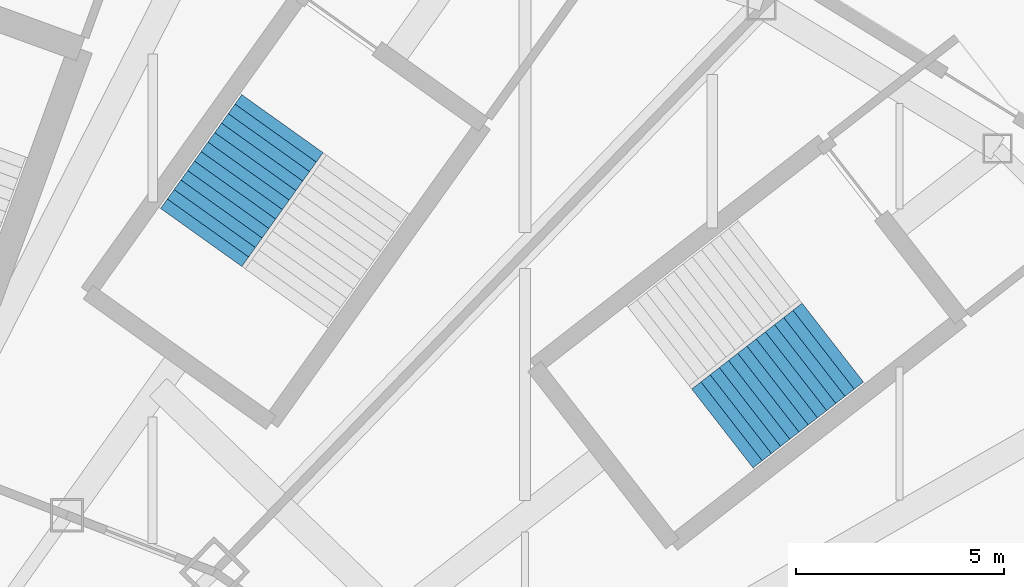
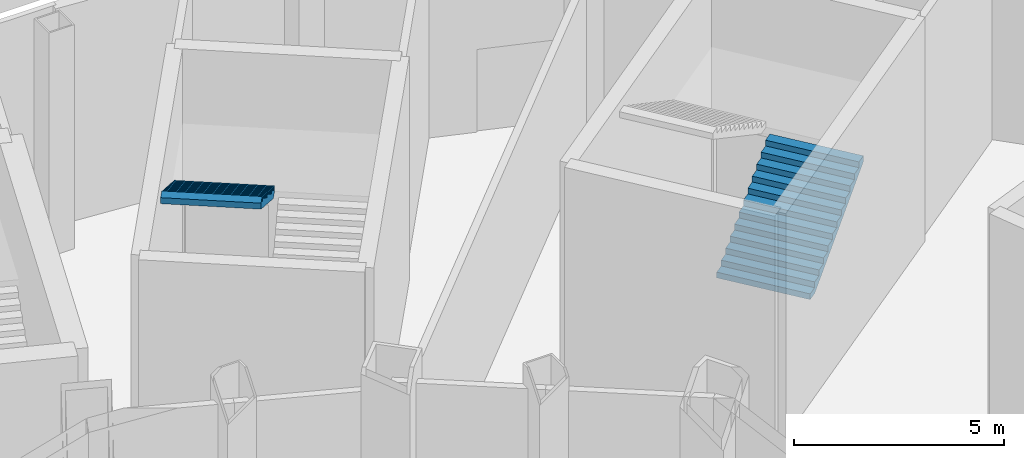
# One storey, part 42 of 47: 2 stair flights, 2 elements without a shape of their own.
"""IFC4 building model written with IfcOpenShell, lengths in metres."""

from ifc_helpers import new_model, si_unit, direction, frame, origin, place, context, subcontext, project, spatial, triangles, material, type_object, element, aggregate, save


model = new_model("IFC4")

# Units and contexts
model_context = context("Model", 3, precision=1e-05, world=origin(), true_north=direction((0.0, 1.0)))
body_context = subcontext(model_context, "Body", "Model", "MODEL_VIEW")
ifc_project = project(units=[si_unit("LENGTHUNIT", "METRE"), si_unit("AREAUNIT", "SQUARE_METRE"), si_unit("VOLUMEUNIT", "CUBIC_METRE"), si_unit("PLANEANGLEUNIT", "RADIAN"), si_unit("MASSUNIT", "GRAM", prefix="KILO")], contexts=[model_context])

# Site, building, storey
site_placement = place(None, origin())
site = spatial("IfcSite", under=ifc_project, at=site_placement, CompositionType="ELEMENT")
building_placement = place(site_placement, origin())
building = spatial("IfcBuilding", under=site, at=building_placement, Name="Lantaw Convention Tower", CompositionType="ELEMENT")
storey_placement = place(building_placement, origin())
storey = spatial("IfcBuildingStorey", under=building, at=storey_placement, Name="L00", CompositionType="ELEMENT", Elevation=0.0)

# Stair, stair flight
ifc_material = material(Name="Concrete C35/45", Category="concrete")
stair_type = type_object("IfcStairType", Name="Exit stair 2400 riser 166.67 in 3 flights", PredefinedType="HALF_TURN_STAIR", material=ifc_material)
stair_1_placement = place(storey_placement, origin())
stair_1 = element("IfcStair", 1, at=stair_1_placement, inside=storey, type_object=stair_type, Name="Podium exit stair P3 L00", PredefinedType="HALF_TURN_STAIR")
stair_flight_type = type_object("IfcStairFlightType", Name="Stair flight 2400 riser 166.67", PredefinedType="STRAIGHT", material=ifc_material)
stair_flight_1_placement = place(storey_placement, frame((29.494384765625, 21.3544921875, 2.166748046875), z_axis=(0.0, 0.0, 1.0), x_axis=(0.789378829664, 0.613906396186, 0.0)))
stair_flight_1 = element("IfcStairFlight", 2, at=stair_flight_1_placement, type_object=stair_flight_type, Name="P3 flight 2", NumberOfRisers=13, NumberOfTreads=12, PredefinedType="STRAIGHT", RiserHeight=0.166666667, TreadLength=0.28, context=body_context, shape_type="Tessellation", body=[
    triangles([(0.0, 1.199951171875, 0.0), (0.0, 1.199951171875, 0.166666667), (0.28, 1.199951171875, 0.0), (0.28, 1.199951171875, 0.166666667), (0.28, 1.199951171875, 0.333333334), (0.29307345806906815, 1.199951171875, 0.0), (0.29307345806906815, 1.199951171875, 0.333333334), (0.56, 1.199951171875, 0.15888484670522912), (0.56, 1.199951171875, 0.333333334), (0.56, 1.199951171875, 0.500000001), (0.8400000000000001, 1.199951171875, 0.3255515137052291), (0.8400000000000001, 1.199951171875, 0.500000001), (0.8400000000000001, 1.199951171875, 0.666666668), (1.12, 1.199951171875, 0.49221818070522905), (1.12, 1.199951171875, 0.666666668), (1.12, 1.199951171875, 0.833333335), (1.4000000000000001, 1.199951171875, 0.658884847705229), (1.4000000000000001, 1.199951171875, 0.833333335), (1.4000000000000001, 1.199951171875, 1.000000002), (1.6800000000000002, 1.199951171875, 0.825551514705229), (1.6800000000000002, 1.199951171875, 1.000000002), (1.6800000000000002, 1.199951171875, 1.166666669), (1.9600000000000002, 1.199951171875, 0.992218181705229), (1.9600000000000002, 1.199951171875, 1.166666669), (1.9600000000000002, 1.199951171875, 1.333333336), (2.24, 1.199951171875, 1.158884848705229), (2.24, 1.199951171875, 1.333333336), (2.24, 1.199951171875, 1.5000000029999998), (2.5200000000000005, 1.199951171875, 1.325551515705229), (2.5200000000000005, 1.199951171875, 1.5000000029999998), (2.5200000000000005, 1.199951171875, 1.66666667), (2.8000000000000003, 1.199951171875, 1.492218182705229), (2.8000000000000003, 1.199951171875, 1.66666667), (2.8000000000000003, 1.199951171875, 1.833333337), (3.08, 1.199951171875, 1.6588848497052289), (3.08, 1.199951171875, 1.833333337), (3.08, 1.199951171875, 2.000000004), (3.3600000000000003, 1.199951171875, 1.825551516705229), (3.3600000000000003, 1.199951171875, 2.000000004), (0.0, -1.199951171875, 0.0), (0.0, -1.199951171875, 0.166666667), (0.28, -1.199951171875, 0.0), (0.28, -1.199951171875, 0.166666667), (0.28, -1.199951171875, 0.333333334), (0.29307345806906815, -1.199951171875, 0.0), (0.29307345806906815, -1.199951171875, 0.333333334), (0.56, -1.199951171875, 0.15888484670522912), (0.56, -1.199951171875, 0.333333334), (0.56, -1.199951171875, 0.500000001), (0.8400000000000001, -1.199951171875, 0.3255515137052291), (0.8400000000000001, -1.199951171875, 0.500000001), (0.8400000000000001, -1.199951171875, 0.666666668), (1.12, -1.199951171875, 0.49221818070522905), (1.12, -1.199951171875, 0.666666668), (1.12, -1.199951171875, 0.833333335), (1.4000000000000001, -1.199951171875, 0.658884847705229), (1.4000000000000001, -1.199951171875, 0.833333335), (1.4000000000000001, -1.199951171875, 1.000000002), (1.6800000000000002, -1.199951171875, 0.825551514705229), (1.6800000000000002, -1.199951171875, 1.000000002), (1.6800000000000002, -1.199951171875, 1.166666669), (1.9600000000000002, -1.199951171875, 0.992218181705229), (1.9600000000000002, -1.199951171875, 1.166666669), (1.9600000000000002, -1.199951171875, 1.333333336), (2.24, -1.199951171875, 1.158884848705229), (2.24, -1.199951171875, 1.333333336), (2.24, -1.199951171875, 1.5000000029999998), (2.5200000000000005, -1.199951171875, 1.325551515705229), (2.5200000000000005, -1.199951171875, 1.5000000029999998), (2.5200000000000005, -1.199951171875, 1.66666667), (2.8000000000000003, -1.199951171875, 1.492218182705229), (2.8000000000000003, -1.199951171875, 1.66666667), (2.8000000000000003, -1.199951171875, 1.833333337), (3.08, -1.199951171875, 1.6588848497052289), (3.08, -1.199951171875, 1.833333337), (3.08, -1.199951171875, 2.000000004), (3.3600000000000003, -1.199951171875, 1.825551516705229), (3.3600000000000003, -1.199951171875, 2.000000004), (0.0, 0.239990234375, 0.166666667), (0.0, 0.239990234375, 0.0), (0.0, 0.0, 0.166666667), (0.0, 0.0, 0.0), (0.0, -0.239990234375, 0.166666667), (0.0, -0.239990234375, 0.0), (0.28, 0.239990234375, 0.333333334), (0.28, 0.239990234375, 0.166666667), (0.28, 0.0, 0.333333334), (0.28, 0.0, 0.166666667), (0.28, -0.239990234375, 0.333333334), (0.28, -0.239990234375, 0.166666667), (0.56, 0.239990234375, 0.500000001), (0.56, 0.239990234375, 0.333333334), (0.56, 0.0, 0.500000001), (0.56, 0.0, 0.333333334), (0.56, -0.239990234375, 0.500000001), (0.56, -0.239990234375, 0.333333334), (0.8400000000000001, 0.239990234375, 0.666666668), (0.8400000000000001, 0.239990234375, 0.500000001), (0.8400000000000001, 0.0, 0.666666668), (0.8400000000000001, 0.0, 0.500000001), (0.8400000000000001, -0.239990234375, 0.666666668), (0.8400000000000001, -0.239990234375, 0.500000001), (1.12, 0.239990234375, 0.833333335), (1.12, 0.239990234375, 0.666666668), (1.12, 0.0, 0.833333335), (1.12, 0.0, 0.666666668), (1.12, -0.239990234375, 0.833333335), (1.12, -0.239990234375, 0.666666668), (1.4000000000000001, 0.239990234375, 1.000000002), (1.4000000000000001, 0.239990234375, 0.833333335), (1.4000000000000001, 0.0, 1.000000002), (1.4000000000000001, 0.0, 0.833333335), (1.4000000000000001, -0.239990234375, 1.000000002), (1.4000000000000001, -0.239990234375, 0.833333335), (1.6800000000000002, 0.239990234375, 1.166666669), (1.6800000000000002, 0.239990234375, 1.000000002), (1.6800000000000002, 0.0, 1.166666669), (1.6800000000000002, 0.0, 1.000000002), (1.6800000000000002, -0.239990234375, 1.166666669), (1.6800000000000002, -0.239990234375, 1.000000002), (1.9600000000000002, 0.239990234375, 1.333333336), (1.9600000000000002, 0.239990234375, 1.166666669), (1.9600000000000002, 0.0, 1.333333336), (1.9600000000000002, 0.0, 1.166666669), (1.9600000000000002, -0.239990234375, 1.333333336), (1.9600000000000002, -0.239990234375, 1.166666669), (2.24, 0.239990234375, 1.5000000029999998), (2.24, 0.239990234375, 1.333333336), (2.24, 0.0, 1.5000000029999998), (2.24, 0.0, 1.333333336), (2.24, -0.239990234375, 1.5000000029999998), (2.24, -0.239990234375, 1.333333336), (2.5200000000000005, 0.239990234375, 1.66666667), (2.5200000000000005, 0.239990234375, 1.5000000029999998), (2.5200000000000005, 0.0, 1.66666667), (2.5200000000000005, 0.0, 1.5000000029999998), (2.5200000000000005, -0.239990234375, 1.66666667), (2.5200000000000005, -0.239990234375, 1.5000000029999998), (2.8000000000000003, 0.239990234375, 1.833333337), (2.8000000000000003, 0.239990234375, 1.66666667), (2.8000000000000003, 0.0, 1.833333337), (2.8000000000000003, 0.0, 1.66666667), (2.8000000000000003, -0.239990234375, 1.833333337), (2.8000000000000003, -0.239990234375, 1.66666667), (3.08, 0.239990234375, 2.000000004), (3.08, 0.239990234375, 1.833333337), (3.08, 0.0, 2.000000004), (3.08, 0.0, 1.833333337), (3.08, -0.239990234375, 2.000000004), (3.08, -0.239990234375, 1.833333337), (0.29307345806906815, 0.239990234375, 0.333333334), (0.29307345806906815, 0.0, 0.333333334), (0.29307345806906815, -0.239990234375, 0.333333334), (3.3600000000000003, 0.239990234375, 2.000000004), (3.3600000000000003, 0.0, 2.000000004), (3.3600000000000003, -0.239990234375, 2.000000004), (3.3600000000000003, 0.239990234375, 1.8255515167052292), (3.3600000000000003, 0.0, 1.8255515167052292), (3.3600000000000003, -0.239990234375, 1.8255515167052292), (3.08, 0.239990234375, 1.6588848497052289), (3.08, 0.0, 1.6588848497052289), (3.08, -0.239990234375, 1.6588848497052289), (2.8000000000000003, 0.239990234375, 1.492218182705229), (2.8000000000000003, 0.0, 1.492218182705229), (2.8000000000000003, -0.239990234375, 1.492218182705229), (2.5200000000000005, 0.239990234375, 1.325551515705229), (2.5200000000000005, 0.0, 1.325551515705229), (2.5200000000000005, -0.239990234375, 1.325551515705229), (2.24, 0.239990234375, 1.158884848705229), (2.24, 0.0, 1.158884848705229), (2.24, -0.239990234375, 1.158884848705229), (1.9600000000000002, 0.239990234375, 0.992218181705229), (1.9600000000000002, 0.0, 0.992218181705229), (1.9600000000000002, -0.239990234375, 0.992218181705229), (1.6800000000000002, 0.239990234375, 0.825551514705229), (1.6800000000000002, 0.0, 0.825551514705229), (1.6800000000000002, -0.239990234375, 0.825551514705229), (1.4000000000000001, 0.239990234375, 0.658884847705229), (1.4000000000000001, 0.0, 0.658884847705229), (1.4000000000000001, -0.239990234375, 0.658884847705229), (1.12, 0.239990234375, 0.49221818070522905), (1.12, 0.0, 0.49221818070522905), (1.12, -0.239990234375, 0.49221818070522905), (0.8400000000000001, 0.239990234375, 0.3255515137052291), (0.8400000000000001, 0.0, 0.3255515137052291), (0.8400000000000001, -0.239990234375, 0.3255515137052291), (0.56, 0.239990234375, 0.15888484670522912), (0.56, 0.0, 0.15888484670522912), (0.56, -0.239990234375, 0.15888484670522912), (0.29307345806906815, 0.239990234375, 0.0), (0.29307345806906815, 0.0, 0.0), (0.29307345806906815, -0.239990234375, 0.0), (0.28, 0.239990234375, 0.0), (0.28, 0.0, 0.0), (0.28, -0.239990234375, 0.0)], [[1, 4, 3], [1, 2, 4], [3, 4, 6], [4, 7, 6], [4, 5, 7], [6, 9, 8], [6, 7, 9], [8, 9, 11], [9, 12, 11], [9, 10, 12], [11, 12, 14], [12, 15, 14], [12, 13, 15], [14, 15, 17], [15, 18, 17], [15, 16, 18], [17, 18, 20], [18, 21, 20], [18, 19, 21], [20, 21, 23], [21, 24, 23], [21, 22, 24], [23, 24, 26], [24, 27, 26], [24, 25, 27], [26, 27, 29], [27, 30, 29], [27, 28, 30], [29, 30, 32], [30, 33, 32], [30, 31, 33], [32, 33, 35], [33, 36, 35], [33, 34, 36], [35, 36, 38], [36, 39, 38], [36, 37, 39], [40, 42, 43], [40, 43, 41], [42, 45, 43], [43, 45, 46], [43, 46, 44], [45, 47, 48], [45, 48, 46], [47, 50, 48], [48, 50, 51], [48, 51, 49], [50, 53, 51], [51, 53, 54], [51, 54, 52], [53, 56, 54], [54, 56, 57], [54, 57, 55], [56, 59, 57], [57, 59, 60], [57, 60, 58], [59, 62, 60], [60, 62, 63], [60, 63, 61], [62, 65, 63], [63, 65, 66], [63, 66, 64], [65, 68, 66], [66, 68, 69], [66, 69, 67], [68, 71, 69], [69, 71, 72], [69, 72, 70], [71, 74, 72], [72, 74, 75], [72, 75, 73], [74, 77, 75], [75, 77, 78], [75, 78, 76], [1, 79, 2], [1, 80, 79], [80, 81, 79], [80, 82, 81], [82, 83, 81], [82, 84, 83], [84, 41, 83], [84, 40, 41], [4, 85, 5], [4, 86, 85], [86, 87, 85], [86, 88, 87], [88, 89, 87], [88, 90, 89], [90, 44, 89], [90, 43, 44], [9, 91, 10], [9, 92, 91], [92, 93, 91], [92, 94, 93], [94, 95, 93], [94, 96, 95], [96, 49, 95], [96, 48, 49], [12, 97, 13], [12, 98, 97], [98, 99, 97], [98, 100, 99], [100, 101, 99], [100, 102, 101], [102, 52, 101], [102, 51, 52], [15, 103, 16], [15, 104, 103], [104, 105, 103], [104, 106, 105], [106, 107, 105], [106, 108, 107], [108, 55, 107], [108, 54, 55], [18, 109, 19], [18, 110, 109], [110, 111, 109], [110, 112, 111], [112, 113, 111], [112, 114, 113], [114, 58, 113], [114, 57, 58], [21, 115, 22], [21, 116, 115], [116, 117, 115], [116, 118, 117], [118, 119, 117], [118, 120, 119], [120, 61, 119], [120, 60, 61], [24, 121, 25], [24, 122, 121], [122, 123, 121], [122, 124, 123], [124, 125, 123], [124, 126, 125], [126, 64, 125], [126, 63, 64], [27, 127, 28], [27, 128, 127], [128, 129, 127], [128, 130, 129], [130, 131, 129], [130, 132, 131], [132, 67, 131], [132, 66, 67], [30, 133, 31], [30, 134, 133], [134, 135, 133], [134, 136, 135], [136, 137, 135], [136, 138, 137], [138, 70, 137], [138, 69, 70], [33, 139, 34], [33, 140, 139], [140, 141, 139], [140, 142, 141], [142, 143, 141], [142, 144, 143], [144, 73, 143], [144, 72, 73], [36, 145, 37], [36, 146, 145], [146, 147, 145], [146, 148, 147], [148, 149, 147], [148, 150, 149], [150, 76, 149], [150, 75, 76], [2, 86, 4], [2, 79, 86], [79, 88, 86], [79, 81, 88], [81, 90, 88], [81, 83, 90], [83, 43, 90], [83, 41, 43], [5, 151, 7], [5, 85, 151], [85, 152, 151], [85, 87, 152], [87, 153, 152], [87, 89, 153], [89, 46, 153], [89, 44, 46], [7, 92, 9], [7, 151, 92], [151, 94, 92], [151, 152, 94], [152, 96, 94], [152, 153, 96], [153, 48, 96], [153, 46, 48], [10, 98, 12], [10, 91, 98], [91, 100, 98], [91, 93, 100], [93, 102, 100], [93, 95, 102], [95, 51, 102], [95, 49, 51], [13, 104, 15], [13, 97, 104], [97, 106, 104], [97, 99, 106], [99, 108, 106], [99, 101, 108], [101, 54, 108], [101, 52, 54], [16, 110, 18], [16, 103, 110], [103, 112, 110], [103, 105, 112], [105, 114, 112], [105, 107, 114], [107, 57, 114], [107, 55, 57], [19, 116, 21], [19, 109, 116], [109, 118, 116], [109, 111, 118], [111, 120, 118], [111, 113, 120], [113, 60, 120], [113, 58, 60], [22, 122, 24], [22, 115, 122], [115, 124, 122], [115, 117, 124], [117, 126, 124], [117, 119, 126], [119, 63, 126], [119, 61, 63], [25, 128, 27], [25, 121, 128], [121, 130, 128], [121, 123, 130], [123, 132, 130], [123, 125, 132], [125, 66, 132], [125, 64, 66], [28, 134, 30], [28, 127, 134], [127, 136, 134], [127, 129, 136], [129, 138, 136], [129, 131, 138], [131, 69, 138], [131, 67, 69], [31, 140, 33], [31, 133, 140], [133, 142, 140], [133, 135, 142], [135, 144, 142], [135, 137, 144], [137, 72, 144], [137, 70, 72], [34, 146, 36], [34, 139, 146], [139, 148, 146], [139, 141, 148], [141, 150, 148], [141, 143, 150], [143, 75, 150], [143, 73, 75], [37, 154, 39], [37, 145, 154], [145, 155, 154], [145, 147, 155], [147, 156, 155], [147, 149, 156], [149, 78, 156], [149, 76, 78], [39, 157, 38], [39, 154, 157], [154, 158, 157], [154, 155, 158], [155, 159, 158], [155, 156, 159], [156, 77, 159], [156, 78, 77], [38, 160, 35], [38, 157, 160], [157, 161, 160], [157, 158, 161], [158, 162, 161], [158, 159, 162], [159, 74, 162], [159, 77, 74], [35, 163, 32], [35, 160, 163], [160, 164, 163], [160, 161, 164], [161, 165, 164], [161, 162, 165], [162, 71, 165], [162, 74, 71], [32, 166, 29], [32, 163, 166], [163, 167, 166], [163, 164, 167], [164, 168, 167], [164, 165, 168], [165, 68, 168], [165, 71, 68], [29, 169, 26], [29, 166, 169], [166, 170, 169], [166, 167, 170], [167, 171, 170], [167, 168, 171], [168, 65, 171], [168, 68, 65], [26, 172, 23], [26, 169, 172], [169, 173, 172], [169, 170, 173], [170, 174, 173], [170, 171, 174], [171, 62, 174], [171, 65, 62], [23, 175, 20], [23, 172, 175], [172, 176, 175], [172, 173, 176], [173, 177, 176], [173, 174, 177], [174, 59, 177], [174, 62, 59], [20, 178, 17], [20, 175, 178], [175, 179, 178], [175, 176, 179], [176, 180, 179], [176, 177, 180], [177, 56, 180], [177, 59, 56], [17, 181, 14], [17, 178, 181], [178, 182, 181], [178, 179, 182], [179, 183, 182], [179, 180, 183], [180, 53, 183], [180, 56, 53], [14, 184, 11], [14, 181, 184], [181, 185, 184], [181, 182, 185], [182, 186, 185], [182, 183, 186], [183, 50, 186], [183, 53, 50], [11, 187, 8], [11, 184, 187], [184, 188, 187], [184, 185, 188], [185, 189, 188], [185, 186, 189], [186, 47, 189], [186, 50, 47], [8, 190, 6], [8, 187, 190], [187, 191, 190], [187, 188, 191], [188, 192, 191], [188, 189, 192], [189, 45, 192], [189, 47, 45], [6, 193, 3], [6, 190, 193], [190, 194, 193], [190, 191, 194], [191, 195, 194], [191, 192, 195], [192, 42, 195], [192, 45, 42], [3, 80, 1], [3, 193, 80], [193, 82, 80], [193, 194, 82], [194, 84, 82], [194, 195, 84], [195, 40, 84], [195, 42, 40]], closed=True),
])
aggregate(stair_1, [stair_flight_1])

stair_2_placement = place(storey_placement, origin())
stair_2 = element("IfcStair", 3, at=stair_2_placement, inside=storey, type_object=stair_type, Name="Podium exit stair P4 L00", PredefinedType="HALF_TURN_STAIR")
stair_flight_2_placement = place(storey_placement, frame((18.92138671875, 28.679443359375, 4.333251953125), z_axis=(0.0, 0.0, 1.0), x_axis=(-0.580702955711, -0.814115518356, 0.0)))
stair_flight_2 = element("IfcStairFlight", 4, at=stair_flight_2_placement, type_object=stair_flight_type, Name="P4 flight 3", NumberOfRisers=13, NumberOfTreads=12, PredefinedType="STRAIGHT", RiserHeight=0.166666667, TreadLength=0.28, context=body_context, shape_type="Tessellation", body=[
    triangles([(0.0, 1.199951171875, 0.0), (0.0, 1.199951171875, 0.166666667), (0.28, 1.199951171875, 0.0), (0.28, 1.199951171875, 0.166666667), (0.28, 1.199951171875, 0.333333334), (0.29307345806906815, 1.199951171875, 0.0), (0.29307345806906815, 1.199951171875, 0.333333334), (0.56, 1.199951171875, 0.15888484670522912), (0.56, 1.199951171875, 0.333333334), (0.56, 1.199951171875, 0.500000001), (0.8400000000000001, 1.199951171875, 0.3255515137052291), (0.8400000000000001, 1.199951171875, 0.500000001), (0.8400000000000001, 1.199951171875, 0.666666668), (1.12, 1.199951171875, 0.49221818070522905), (1.12, 1.199951171875, 0.666666668), (1.12, 1.199951171875, 0.833333335), (1.4000000000000001, 1.199951171875, 0.658884847705229), (1.4000000000000001, 1.199951171875, 0.833333335), (1.4000000000000001, 1.199951171875, 1.000000002), (1.6800000000000002, 1.199951171875, 0.825551514705229), (1.6800000000000002, 1.199951171875, 1.000000002), (1.6800000000000002, 1.199951171875, 1.166666669), (1.9600000000000002, 1.199951171875, 0.992218181705229), (1.9600000000000002, 1.199951171875, 1.166666669), (1.9600000000000002, 1.199951171875, 1.333333336), (2.24, 1.199951171875, 1.158884848705229), (2.24, 1.199951171875, 1.333333336), (2.24, 1.199951171875, 1.5000000029999998), (2.5200000000000005, 1.199951171875, 1.325551515705229), (2.5200000000000005, 1.199951171875, 1.5000000029999998), (2.5200000000000005, 1.199951171875, 1.66666667), (2.8000000000000003, 1.199951171875, 1.492218182705229), (2.8000000000000003, 1.199951171875, 1.66666667), (2.8000000000000003, 1.199951171875, 1.833333337), (3.08, 1.199951171875, 1.6588848497052289), (3.08, 1.199951171875, 1.833333337), (3.08, 1.199951171875, 2.000000004), (3.3600000000000003, 1.199951171875, 1.825551516705229), (3.3600000000000003, 1.199951171875, 2.000000004), (0.0, -1.199951171875, 0.0), (0.0, -1.199951171875, 0.166666667), (0.28, -1.199951171875, 0.0), (0.28, -1.199951171875, 0.166666667), (0.28, -1.199951171875, 0.333333334), (0.29307345806906815, -1.199951171875, 0.0), (0.29307345806906815, -1.199951171875, 0.333333334), (0.56, -1.199951171875, 0.15888484670522912), (0.56, -1.199951171875, 0.333333334), (0.56, -1.199951171875, 0.500000001), (0.8400000000000001, -1.199951171875, 0.3255515137052291), (0.8400000000000001, -1.199951171875, 0.500000001), (0.8400000000000001, -1.199951171875, 0.666666668), (1.12, -1.199951171875, 0.49221818070522905), (1.12, -1.199951171875, 0.666666668), (1.12, -1.199951171875, 0.833333335), (1.4000000000000001, -1.199951171875, 0.658884847705229), (1.4000000000000001, -1.199951171875, 0.833333335), (1.4000000000000001, -1.199951171875, 1.000000002), (1.6800000000000002, -1.199951171875, 0.825551514705229), (1.6800000000000002, -1.199951171875, 1.000000002), (1.6800000000000002, -1.199951171875, 1.166666669), (1.9600000000000002, -1.199951171875, 0.992218181705229), (1.9600000000000002, -1.199951171875, 1.166666669), (1.9600000000000002, -1.199951171875, 1.333333336), (2.24, -1.199951171875, 1.158884848705229), (2.24, -1.199951171875, 1.333333336), (2.24, -1.199951171875, 1.5000000029999998), (2.5200000000000005, -1.199951171875, 1.325551515705229), (2.5200000000000005, -1.199951171875, 1.5000000029999998), (2.5200000000000005, -1.199951171875, 1.66666667), (2.8000000000000003, -1.199951171875, 1.492218182705229), (2.8000000000000003, -1.199951171875, 1.66666667), (2.8000000000000003, -1.199951171875, 1.833333337), (3.08, -1.199951171875, 1.6588848497052289), (3.08, -1.199951171875, 1.833333337), (3.08, -1.199951171875, 2.000000004), (3.3600000000000003, -1.199951171875, 1.825551516705229), (3.3600000000000003, -1.199951171875, 2.000000004), (0.0, 0.239990234375, 0.166666667), (0.0, 0.239990234375, 0.0), (0.0, 0.0, 0.166666667), (0.0, 0.0, 0.0), (0.0, -0.239990234375, 0.166666667), (0.0, -0.239990234375, 0.0), (0.28, 0.239990234375, 0.333333334), (0.28, 0.239990234375, 0.166666667), (0.28, 0.0, 0.333333334), (0.28, 0.0, 0.166666667), (0.28, -0.239990234375, 0.333333334), (0.28, -0.239990234375, 0.166666667), (0.56, 0.239990234375, 0.500000001), (0.56, 0.239990234375, 0.333333334), (0.56, 0.0, 0.500000001), (0.56, 0.0, 0.333333334), (0.56, -0.239990234375, 0.500000001), (0.56, -0.239990234375, 0.333333334), (0.8400000000000001, 0.239990234375, 0.666666668), (0.8400000000000001, 0.239990234375, 0.500000001), (0.8400000000000001, 0.0, 0.666666668), (0.8400000000000001, 0.0, 0.500000001), (0.8400000000000001, -0.239990234375, 0.666666668), (0.8400000000000001, -0.239990234375, 0.500000001), (1.12, 0.239990234375, 0.833333335), (1.12, 0.239990234375, 0.666666668), (1.12, 0.0, 0.833333335), (1.12, 0.0, 0.666666668), (1.12, -0.239990234375, 0.833333335), (1.12, -0.239990234375, 0.666666668), (1.4000000000000001, 0.239990234375, 1.000000002), (1.4000000000000001, 0.239990234375, 0.833333335), (1.4000000000000001, 0.0, 1.000000002), (1.4000000000000001, 0.0, 0.833333335), (1.4000000000000001, -0.239990234375, 1.000000002), (1.4000000000000001, -0.239990234375, 0.833333335), (1.6800000000000002, 0.239990234375, 1.166666669), (1.6800000000000002, 0.239990234375, 1.000000002), (1.6800000000000002, 0.0, 1.166666669), (1.6800000000000002, 0.0, 1.000000002), (1.6800000000000002, -0.239990234375, 1.166666669), (1.6800000000000002, -0.239990234375, 1.000000002), (1.9600000000000002, 0.239990234375, 1.333333336), (1.9600000000000002, 0.239990234375, 1.166666669), (1.9600000000000002, 0.0, 1.333333336), (1.9600000000000002, 0.0, 1.166666669), (1.9600000000000002, -0.239990234375, 1.333333336), (1.9600000000000002, -0.239990234375, 1.166666669), (2.24, 0.239990234375, 1.5000000029999998), (2.24, 0.239990234375, 1.333333336), (2.24, 0.0, 1.5000000029999998), (2.24, 0.0, 1.333333336), (2.24, -0.239990234375, 1.5000000029999998), (2.24, -0.239990234375, 1.333333336), (2.5200000000000005, 0.239990234375, 1.66666667), (2.5200000000000005, 0.239990234375, 1.5000000029999998), (2.5200000000000005, 0.0, 1.66666667), (2.5200000000000005, 0.0, 1.5000000029999998), (2.5200000000000005, -0.239990234375, 1.66666667), (2.5200000000000005, -0.239990234375, 1.5000000029999998), (2.8000000000000003, 0.239990234375, 1.833333337), (2.8000000000000003, 0.239990234375, 1.66666667), (2.8000000000000003, 0.0, 1.833333337), (2.8000000000000003, 0.0, 1.66666667), (2.8000000000000003, -0.239990234375, 1.833333337), (2.8000000000000003, -0.239990234375, 1.66666667), (3.08, 0.239990234375, 2.000000004), (3.08, 0.239990234375, 1.833333337), (3.08, 0.0, 2.000000004), (3.08, 0.0, 1.833333337), (3.08, -0.239990234375, 2.000000004), (3.08, -0.239990234375, 1.833333337), (0.29307345806906815, 0.239990234375, 0.333333334), (0.29307345806906815, 0.0, 0.333333334), (0.29307345806906815, -0.239990234375, 0.333333334), (3.3600000000000003, 0.239990234375, 2.000000004), (3.3600000000000003, 0.0, 2.000000004), (3.3600000000000003, -0.239990234375, 2.000000004), (3.3600000000000003, 0.239990234375, 1.8255515167052292), (3.3600000000000003, 0.0, 1.8255515167052292), (3.3600000000000003, -0.239990234375, 1.8255515167052292), (3.08, 0.239990234375, 1.6588848497052289), (3.08, 0.0, 1.6588848497052289), (3.08, -0.239990234375, 1.6588848497052289), (2.8000000000000003, 0.239990234375, 1.492218182705229), (2.8000000000000003, 0.0, 1.492218182705229), (2.8000000000000003, -0.239990234375, 1.492218182705229), (2.5200000000000005, 0.239990234375, 1.325551515705229), (2.5200000000000005, 0.0, 1.325551515705229), (2.5200000000000005, -0.239990234375, 1.325551515705229), (2.24, 0.239990234375, 1.158884848705229), (2.24, 0.0, 1.158884848705229), (2.24, -0.239990234375, 1.158884848705229), (1.9600000000000002, 0.239990234375, 0.992218181705229), (1.9600000000000002, 0.0, 0.992218181705229), (1.9600000000000002, -0.239990234375, 0.992218181705229), (1.6800000000000002, 0.239990234375, 0.825551514705229), (1.6800000000000002, 0.0, 0.825551514705229), (1.6800000000000002, -0.239990234375, 0.825551514705229), (1.4000000000000001, 0.239990234375, 0.658884847705229), (1.4000000000000001, 0.0, 0.658884847705229), (1.4000000000000001, -0.239990234375, 0.658884847705229), (1.12, 0.239990234375, 0.49221818070522905), (1.12, 0.0, 0.49221818070522905), (1.12, -0.239990234375, 0.49221818070522905), (0.8400000000000001, 0.239990234375, 0.3255515137052291), (0.8400000000000001, 0.0, 0.3255515137052291), (0.8400000000000001, -0.239990234375, 0.3255515137052291), (0.56, 0.239990234375, 0.15888484670522912), (0.56, 0.0, 0.15888484670522912), (0.56, -0.239990234375, 0.15888484670522912), (0.29307345806906815, 0.239990234375, 0.0), (0.29307345806906815, 0.0, 0.0), (0.29307345806906815, -0.239990234375, 0.0), (0.28, 0.239990234375, 0.0), (0.28, 0.0, 0.0), (0.28, -0.239990234375, 0.0)], [[1, 4, 3], [1, 2, 4], [3, 4, 6], [4, 7, 6], [4, 5, 7], [6, 9, 8], [6, 7, 9], [8, 9, 11], [9, 12, 11], [9, 10, 12], [11, 12, 14], [12, 15, 14], [12, 13, 15], [14, 15, 17], [15, 18, 17], [15, 16, 18], [17, 18, 20], [18, 21, 20], [18, 19, 21], [20, 21, 23], [21, 24, 23], [21, 22, 24], [23, 24, 26], [24, 27, 26], [24, 25, 27], [26, 27, 29], [27, 30, 29], [27, 28, 30], [29, 30, 32], [30, 33, 32], [30, 31, 33], [32, 33, 35], [33, 36, 35], [33, 34, 36], [35, 36, 38], [36, 39, 38], [36, 37, 39], [40, 42, 43], [40, 43, 41], [42, 45, 43], [43, 45, 46], [43, 46, 44], [45, 47, 48], [45, 48, 46], [47, 50, 48], [48, 50, 51], [48, 51, 49], [50, 53, 51], [51, 53, 54], [51, 54, 52], [53, 56, 54], [54, 56, 57], [54, 57, 55], [56, 59, 57], [57, 59, 60], [57, 60, 58], [59, 62, 60], [60, 62, 63], [60, 63, 61], [62, 65, 63], [63, 65, 66], [63, 66, 64], [65, 68, 66], [66, 68, 69], [66, 69, 67], [68, 71, 69], [69, 71, 72], [69, 72, 70], [71, 74, 72], [72, 74, 75], [72, 75, 73], [74, 77, 75], [75, 77, 78], [75, 78, 76], [1, 79, 2], [1, 80, 79], [80, 81, 79], [80, 82, 81], [82, 83, 81], [82, 84, 83], [84, 41, 83], [84, 40, 41], [4, 85, 5], [4, 86, 85], [86, 87, 85], [86, 88, 87], [88, 89, 87], [88, 90, 89], [90, 44, 89], [90, 43, 44], [9, 91, 10], [9, 92, 91], [92, 93, 91], [92, 94, 93], [94, 95, 93], [94, 96, 95], [96, 49, 95], [96, 48, 49], [12, 97, 13], [12, 98, 97], [98, 99, 97], [98, 100, 99], [100, 101, 99], [100, 102, 101], [102, 52, 101], [102, 51, 52], [15, 103, 16], [15, 104, 103], [104, 105, 103], [104, 106, 105], [106, 107, 105], [106, 108, 107], [108, 55, 107], [108, 54, 55], [18, 109, 19], [18, 110, 109], [110, 111, 109], [110, 112, 111], [112, 113, 111], [112, 114, 113], [114, 58, 113], [114, 57, 58], [21, 115, 22], [21, 116, 115], [116, 117, 115], [116, 118, 117], [118, 119, 117], [118, 120, 119], [120, 61, 119], [120, 60, 61], [24, 121, 25], [24, 122, 121], [122, 123, 121], [122, 124, 123], [124, 125, 123], [124, 126, 125], [126, 64, 125], [126, 63, 64], [27, 127, 28], [27, 128, 127], [128, 129, 127], [128, 130, 129], [130, 131, 129], [130, 132, 131], [132, 67, 131], [132, 66, 67], [30, 133, 31], [30, 134, 133], [134, 135, 133], [134, 136, 135], [136, 137, 135], [136, 138, 137], [138, 70, 137], [138, 69, 70], [33, 139, 34], [33, 140, 139], [140, 141, 139], [140, 142, 141], [142, 143, 141], [142, 144, 143], [144, 73, 143], [144, 72, 73], [36, 145, 37], [36, 146, 145], [146, 147, 145], [146, 148, 147], [148, 149, 147], [148, 150, 149], [150, 76, 149], [150, 75, 76], [2, 86, 4], [2, 79, 86], [79, 88, 86], [79, 81, 88], [81, 90, 88], [81, 83, 90], [83, 43, 90], [83, 41, 43], [5, 151, 7], [5, 85, 151], [85, 152, 151], [85, 87, 152], [87, 153, 152], [87, 89, 153], [89, 46, 153], [89, 44, 46], [7, 92, 9], [7, 151, 92], [151, 94, 92], [151, 152, 94], [152, 96, 94], [152, 153, 96], [153, 48, 96], [153, 46, 48], [10, 98, 12], [10, 91, 98], [91, 100, 98], [91, 93, 100], [93, 102, 100], [93, 95, 102], [95, 51, 102], [95, 49, 51], [13, 104, 15], [13, 97, 104], [97, 106, 104], [97, 99, 106], [99, 108, 106], [99, 101, 108], [101, 54, 108], [101, 52, 54], [16, 110, 18], [16, 103, 110], [103, 112, 110], [103, 105, 112], [105, 114, 112], [105, 107, 114], [107, 57, 114], [107, 55, 57], [19, 116, 21], [19, 109, 116], [109, 118, 116], [109, 111, 118], [111, 120, 118], [111, 113, 120], [113, 60, 120], [113, 58, 60], [22, 122, 24], [22, 115, 122], [115, 124, 122], [115, 117, 124], [117, 126, 124], [117, 119, 126], [119, 63, 126], [119, 61, 63], [25, 128, 27], [25, 121, 128], [121, 130, 128], [121, 123, 130], [123, 132, 130], [123, 125, 132], [125, 66, 132], [125, 64, 66], [28, 134, 30], [28, 127, 134], [127, 136, 134], [127, 129, 136], [129, 138, 136], [129, 131, 138], [131, 69, 138], [131, 67, 69], [31, 140, 33], [31, 133, 140], [133, 142, 140], [133, 135, 142], [135, 144, 142], [135, 137, 144], [137, 72, 144], [137, 70, 72], [34, 146, 36], [34, 139, 146], [139, 148, 146], [139, 141, 148], [141, 150, 148], [141, 143, 150], [143, 75, 150], [143, 73, 75], [37, 154, 39], [37, 145, 154], [145, 155, 154], [145, 147, 155], [147, 156, 155], [147, 149, 156], [149, 78, 156], [149, 76, 78], [39, 157, 38], [39, 154, 157], [154, 158, 157], [154, 155, 158], [155, 159, 158], [155, 156, 159], [156, 77, 159], [156, 78, 77], [38, 160, 35], [38, 157, 160], [157, 161, 160], [157, 158, 161], [158, 162, 161], [158, 159, 162], [159, 74, 162], [159, 77, 74], [35, 163, 32], [35, 160, 163], [160, 164, 163], [160, 161, 164], [161, 165, 164], [161, 162, 165], [162, 71, 165], [162, 74, 71], [32, 166, 29], [32, 163, 166], [163, 167, 166], [163, 164, 167], [164, 168, 167], [164, 165, 168], [165, 68, 168], [165, 71, 68], [29, 169, 26], [29, 166, 169], [166, 170, 169], [166, 167, 170], [167, 171, 170], [167, 168, 171], [168, 65, 171], [168, 68, 65], [26, 172, 23], [26, 169, 172], [169, 173, 172], [169, 170, 173], [170, 174, 173], [170, 171, 174], [171, 62, 174], [171, 65, 62], [23, 175, 20], [23, 172, 175], [172, 176, 175], [172, 173, 176], [173, 177, 176], [173, 174, 177], [174, 59, 177], [174, 62, 59], [20, 178, 17], [20, 175, 178], [175, 179, 178], [175, 176, 179], [176, 180, 179], [176, 177, 180], [177, 56, 180], [177, 59, 56], [17, 181, 14], [17, 178, 181], [178, 182, 181], [178, 179, 182], [179, 183, 182], [179, 180, 183], [180, 53, 183], [180, 56, 53], [14, 184, 11], [14, 181, 184], [181, 185, 184], [181, 182, 185], [182, 186, 185], [182, 183, 186], [183, 50, 186], [183, 53, 50], [11, 187, 8], [11, 184, 187], [184, 188, 187], [184, 185, 188], [185, 189, 188], [185, 186, 189], [186, 47, 189], [186, 50, 47], [8, 190, 6], [8, 187, 190], [187, 191, 190], [187, 188, 191], [188, 192, 191], [188, 189, 192], [189, 45, 192], [189, 47, 45], [6, 193, 3], [6, 190, 193], [190, 194, 193], [190, 191, 194], [191, 195, 194], [191, 192, 195], [192, 42, 195], [192, 45, 42], [3, 80, 1], [3, 193, 80], [193, 82, 80], [193, 194, 82], [194, 84, 82], [194, 195, 84], [195, 40, 84], [195, 42, 40]], closed=True),
])
aggregate(stair_2, [stair_flight_2])

save(model, "model.ifc")
